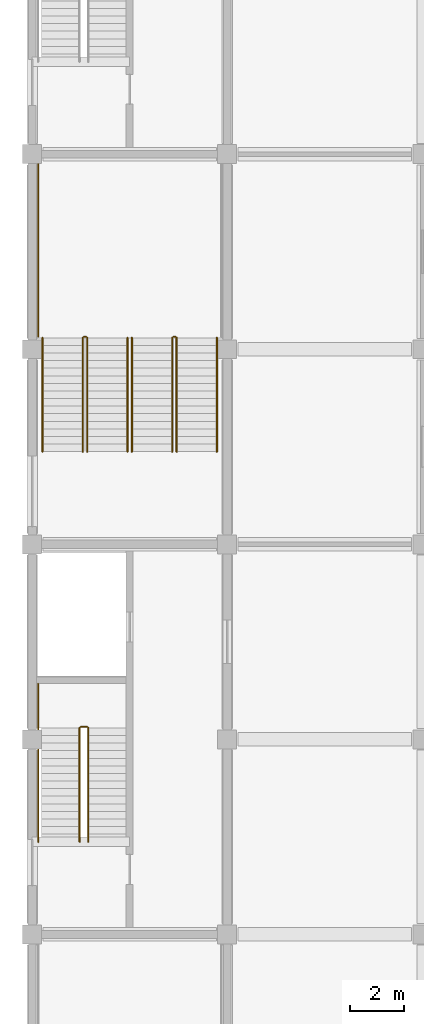
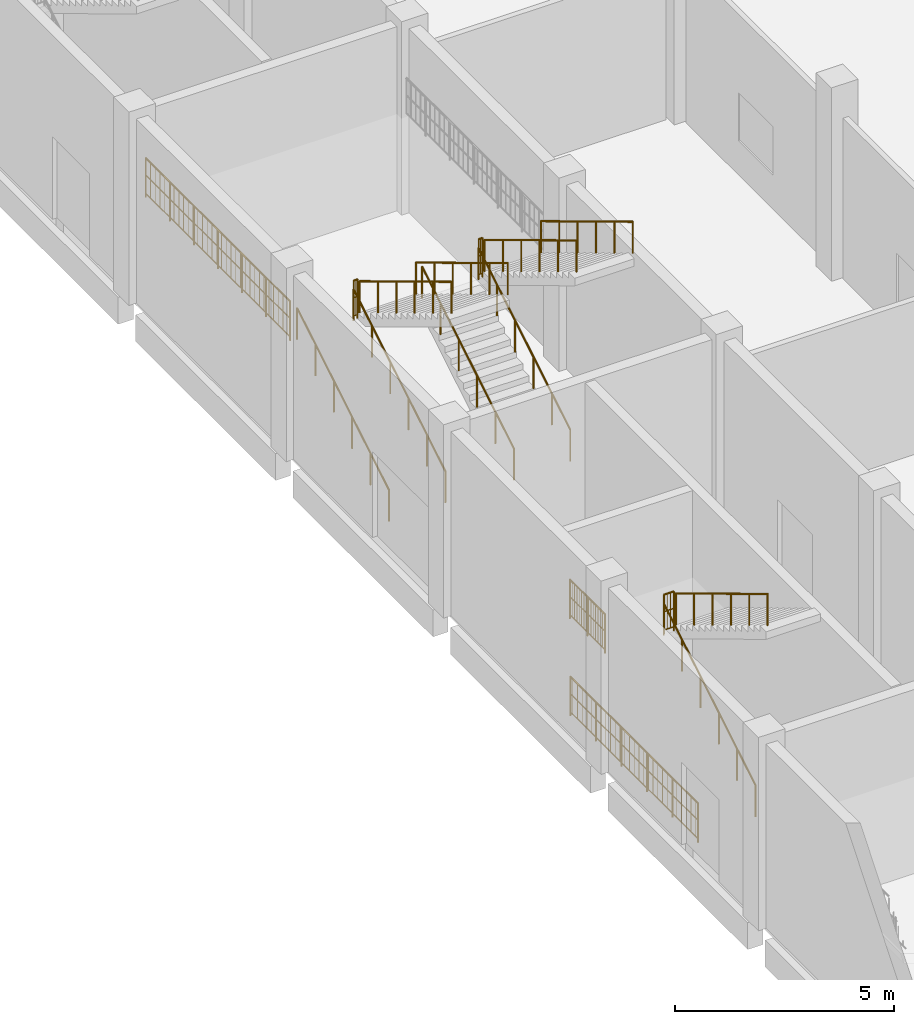
# One storey, part 59 of 70: 16 railings.
"""IFC4 building model written with IfcOpenShell, lengths in metres."""

import ifcopenshell
import ifcopenshell.guid

model = None  # the IFC model being written
_history = None  # IfcOwnerHistory: only IFC2X3 demands one
_inside = {}  # id of a spatial element -> (the spatial element, [elements in it])
_under = {}  # id of a project, library or spatial element -> (it, [spatial elements below it])
_declared = {}  # id of a project -> (the project, [libraries it declares])
_typed = {}  # id of a type object -> (the type object, [elements of that type])
_made_of = {}  # id of a material, layer set ... -> (it, [elements and type objects made of it])


def new_model(schema):
    """Start an empty IFC model of exactly this schema.

    Asked for "IFC4X3", IfcOpenShell would pick the latest addendum, in which some entities
    have other attributes; the version numbers below select the first issue.
    IFC2X3 requires an IfcOwnerHistory on every rooted entity: one is made here for all.
    """
    global model, _history
    if schema == "IFC4X3":
        model = ifcopenshell.file(schema_version=(4, 3, 0, 0))
    else:
        model = ifcopenshell.file(schema=schema)
    _inside.clear()
    _under.clear()
    _declared.clear()
    _typed.clear()
    _made_of.clear()
    _history = None
    if model.schema == "IFC2X3":
        org = make("IfcOrganization", Name="unknown")
        user = make(
            "IfcPersonAndOrganization",
            ThePerson=make("IfcPerson", FamilyName="unknown"),
            TheOrganization=org,
        )
        app = make(
            "IfcApplication",
            ApplicationDeveloper=org,
            Version="unknown",
            ApplicationFullName="unknown",
            ApplicationIdentifier="unknown",
        )
        _history = make(
            "IfcOwnerHistory",
            OwningUser=user,
            OwningApplication=app,
            ChangeAction="ADDED",
            CreationDate=0,
        )
    return model


def make(cls, **values):
    """One entity of the class cls with the attributes given. An attribute that is None is left unset."""
    return model.create_entity(
        cls, **{name: value for name, value in values.items() if value is not None}
    )


def rooted(cls, **values):
    """An entity with a GlobalId (a new one), such as an element, a storey or a relation."""
    return make(cls, GlobalId=ifcopenshell.guid.new(), OwnerHistory=_history, **values)


def si_unit(unit_type, name, prefix=None):
    """IfcSIUnit, for example si_unit("LENGTHUNIT", "METRE", prefix="MILLI")."""
    return make("IfcSIUnit", UnitType=unit_type, Prefix=prefix, Name=name)


def assignment(units):
    """IfcUnitAssignment: the units of a project."""
    return None if units is None else make("IfcUnitAssignment", Units=units)


def point(xyz):
    """IfcCartesianPoint."""
    return None if xyz is None else make("IfcCartesianPoint", Coordinates=xyz)


def direction(xyz):
    """IfcDirection."""
    return None if xyz is None else make("IfcDirection", DirectionRatios=xyz)


def frame(location, z_axis=None, x_axis=None):
    """IfcAxis2Placement3D, a coordinate frame: its origin and axes. An axis left out is left unset."""
    return make(
        "IfcAxis2Placement3D",
        Location=point(location),
        Axis=direction(z_axis),
        RefDirection=direction(x_axis),
    )


def frame_2d(location, x_axis=None):
    """IfcAxis2Placement2D, a coordinate frame in the plane: its origin and x axis."""
    return make(
        "IfcAxis2Placement2D", Location=point(location), RefDirection=direction(x_axis)
    )


def origin():
    """The frame at (0, 0, 0) with its axes left unset."""
    return frame((0.0, 0.0, 0.0))


def origin_2d():
    """The frame at (0, 0) in the plane with its x axis left unset."""
    return frame_2d((0.0, 0.0))


def place(relative_to, where):
    """IfcLocalPlacement: puts the frame where relative to a parent placement (None: the world)."""
    return make(
        "IfcLocalPlacement", PlacementRelTo=relative_to, RelativePlacement=where
    )


def context(
    kind, dimensions, precision=None, world=None, true_north=None, identifier=None
):
    """IfcGeometricRepresentationContext, for example the 3D "Model" context."""
    return make(
        "IfcGeometricRepresentationContext",
        ContextIdentifier=identifier,
        ContextType=kind,
        CoordinateSpaceDimension=dimensions,
        Precision=precision,
        WorldCoordinateSystem=world,
        TrueNorth=true_north,
    )


def subcontext(parent, identifier, kind, view, scale=None):
    """IfcGeometricRepresentationSubContext, for example "Body" below "Model"."""
    return make(
        "IfcGeometricRepresentationSubContext",
        ContextIdentifier=identifier,
        ContextType=kind,
        ParentContext=parent,
        TargetScale=scale,
        TargetView=view,
    )


def project(units=None, contexts=None):
    """IfcProject with its units and contexts."""
    return rooted(
        "IfcProject",
        Name="project",
        RepresentationContexts=contexts,
        UnitsInContext=assignment(units),
    )


def spatial(cls, under=None, at=None, **own):
    """A site, building, storey or space (cls), placed at a placement, below another one or the project."""
    s = rooted(cls, ObjectPlacement=at, **own)
    if under is not None:
        _under.setdefault(under.id(), (under, []))[1].append(s)
    return s


def profile(cls, at=None, kind="AREA", **sizes):
    """A parametric profile (cls). Its sizes go by their IFC names, for example OverallWidth=200.0."""
    return make(cls, ProfileType=kind, Position=at, **sizes)


def circle(**sizes):
    """IfcCircleProfileDef."""
    return profile("IfcCircleProfileDef", **sizes)


def extrude(swept, where, along, depth):
    """IfcExtrudedAreaSolid: the profile swept, set in the frame where, extruded along a direction by depth."""
    return make(
        "IfcExtrudedAreaSolid",
        SweptArea=swept,
        Position=where,
        ExtrudedDirection=direction(along),
        Depth=depth,
    )


def shape(context_of_items, identifier, shape_type, items):
    """IfcShapeRepresentation: the items that make up one representation, for example the "Body"."""
    return make(
        "IfcShapeRepresentation",
        ContextOfItems=context_of_items,
        RepresentationIdentifier=identifier,
        RepresentationType=shape_type,
        Items=items,
    )


def material(Name=None, Category=None):
    """IfcMaterial."""
    return make("IfcMaterial", Name=Name, Category=Category)


def made_of(thing, what):
    """Note that an element or type object is made of a material, layer set ...; save() writes the relation."""
    if what is not None:
        _made_of.setdefault(what.id(), (what, []))[1].append(thing)
    return thing


def type_object(cls, material=None, **own):
    """A type object (cls), such as IfcWallType, which elements share."""
    return made_of(rooted(cls, **own), material)


def element(
    cls,
    number,
    at=None,
    inside=None,
    cuts=None,
    type_object=None,
    material=None,
    context=None,
    identifier="Body",
    shape_type=None,
    held_by="IfcProductDefinitionShape",
    body=None,
    shapes=None,
    **own,
):
    """One element of the class cls, such as IfcWall. Its Tag is "e" and its number.

    at: its placement. inside: the storey or other place that contains it. cuts: it is an
    opening in that element (IfcRelVoidsElement). A single representation is given by context,
    identifier, shape_type and body (its items); several are given by shapes. held_by: the class
    of the entity that holds the representations. save() writes the other relations.
    """
    e = rooted(cls, Tag="e%d" % number, ObjectPlacement=at, **own)
    if body is not None:
        shapes = [shape(context, identifier, shape_type, body)]
    if shapes is not None:
        e.Representation = make(held_by, Representations=shapes)
    if inside is not None:
        _inside.setdefault(inside.id(), (inside, []))[1].append(e)
    if cuts is not None:
        rooted(
            "IfcRelVoidsElement", RelatingBuildingElement=cuts, RelatedOpeningElement=e
        )
    if type_object is not None:
        _typed.setdefault(type_object.id(), (type_object, []))[1].append(e)
    return made_of(e, material)


def aggregate(whole, parts):
    """IfcRelAggregates: a whole, such as a stair, and the parts it consists of."""
    return rooted("IfcRelAggregates", RelatingObject=whole, RelatedObjects=parts)


def save(model, path):
    """Write the relations noted so far, then the file.

    IfcRelAggregates (storeys below a building ...), IfcRelContainedInSpatialStructure (elements
    in a storey), IfcRelDefinesByType, IfcRelAssociatesMaterial and IfcRelDeclares: one each for
    every whole, place, type object, material and project.
    """
    for whole, parts in _under.values():
        aggregate(whole, parts)
    for where, things in _inside.values():
        rooted(
            "IfcRelContainedInSpatialStructure",
            RelatedElements=things,
            RelatingStructure=where,
        )
    for kind, things in _typed.values():
        rooted("IfcRelDefinesByType", RelatedObjects=things, RelatingType=kind)
    for what, things in _made_of.values():
        rooted("IfcRelAssociatesMaterial", RelatedObjects=things, RelatingMaterial=what)
    for by, libraries in _declared.values():
        rooted("IfcRelDeclares", RelatingContext=by, RelatedDefinitions=libraries)
    model.write(path)


model = new_model("IFC4")

# Units and contexts
model_context = context("Model", 3, precision=1e-05, world=origin(), true_north=direction((0.0, 1.0)))
body_context = subcontext(model_context, "Body", "Model", "MODEL_VIEW")
ifc_project = project(units=[si_unit("LENGTHUNIT", "METRE"), si_unit("AREAUNIT", "SQUARE_METRE"), si_unit("VOLUMEUNIT", "CUBIC_METRE"), si_unit("PLANEANGLEUNIT", "RADIAN"), si_unit("MASSUNIT", "GRAM", prefix="KILO")], contexts=[model_context])

# Site, building, storey
site_placement = place(None, origin())
site = spatial("IfcSite", under=ifc_project, at=site_placement, CompositionType="ELEMENT")
building_placement = place(site_placement, origin())
building = spatial("IfcBuilding", under=site, at=building_placement, Name="Vesperath Aquatics Centre", CompositionType="ELEMENT")
storey_placement = place(building_placement, origin())
storey = spatial("IfcBuildingStorey", under=building, at=storey_placement, Name="L00", CompositionType="ELEMENT", Elevation=0.0)

# Railings
ifc_material_1 = material(Name="Powder-coated galvanized steel safety guard", Category="steel")
railing_type_1 = type_object("IfcRailingType", Name="RL-GRD01", PredefinedType="GUARDRAIL", material=ifc_material_1)
railing_1_placement = place(storey_placement, frame((1.780029296875, 36.4599609375, 2.699951171875)))
element("IfcRailing", 1, at=railing_1_placement, inside=storey, type_object=railing_type_1, Name="Stair ST1 Half-Landing Slot Guard GR02 L00", PredefinedType="GUARDRAIL", context=body_context, shape_type="SweptSolid", body=[
    extrude(circle(Radius=0.02392578125, at=origin_2d()), frame((0.0, 0.0, 1.0859375), z_axis=(1.0, 0.0, 0.0), x_axis=(0.0, 1.0, 0.0)), (0.0, 0.0, 1.0), 0.260009765625),
    extrude(circle(Radius=0.01611328125, at=origin_2d()), frame((0.0, 0.0, 0.10009765625), z_axis=(1.0, 0.0, 0.0), x_axis=(0.0, 1.0, 0.0)), (0.0, 0.0, 1.0), 0.260009765625),
    extrude(circle(Radius=0.01611328125, at=origin_2d()), frame((0.0, 0.0, 0.610595703125), z_axis=(1.0, 0.0, 0.0), x_axis=(0.0, 1.0, 0.0)), (0.0, 0.0, 1.0), 0.260009765625),
    extrude(circle(Radius=0.009033203125, at=origin_2d()), frame((0.086669921875, 0.0, 0.10009765625)), (0.0, 0.0, 1.0), 0.9619140625),
    extrude(circle(Radius=0.009033203125, at=origin_2d()), frame((0.17333984375, 0.0, 0.10009765625)), (0.0, 0.0, 1.0), 0.9619140625),
    extrude(circle(Radius=0.02197265625, at=origin_2d()), origin(), (0.0, 0.0, 1.0), 1.0859375),
    extrude(circle(Radius=0.02197265625, at=origin_2d()), frame((0.260009765625, 0.0, 0.0)), (0.0, 0.0, 1.0), 1.0859375),
])
railing_2_placement = place(storey_placement, frame((0.219970703125, 36.4599609375, 2.699951171875)))
element("IfcRailing", 2, at=railing_2_placement, inside=storey, type_object=railing_type_1, Name="Stair ST1 Half-Landing Wall Guard GR02 L00", PredefinedType="GUARDRAIL", context=body_context, shape_type="SweptSolid", body=[
    extrude(circle(Radius=0.02392578125, at=origin_2d()), frame((0.0, 0.0, 1.0859375), z_axis=(0.0, 1.0, 0.0), x_axis=(-1.0, 0.0, 0.0)), (0.0, 0.0, 1.0), 1.60009765625),
    extrude(circle(Radius=0.01611328125, at=origin_2d()), frame((0.0, 0.0, 0.10009765625), z_axis=(0.0, 1.0, 0.0), x_axis=(-1.0, 0.0, 0.0)), (0.0, 0.0, 1.0), 1.60009765625),
    extrude(circle(Radius=0.01611328125, at=origin_2d()), frame((0.0, 0.0, 0.610595703125), z_axis=(0.0, 1.0, 0.0), x_axis=(-1.0, 0.0, 0.0)), (0.0, 0.0, 1.0), 1.60009765625),
    extrude(circle(Radius=0.009033203125, at=origin_2d()), frame((0.0, 0.106689453125, 0.10009765625)), (0.0, 0.0, 1.0), 0.9619140625),
    extrude(circle(Radius=0.009033203125, at=origin_2d()), frame((0.0, 0.21337890625, 0.10009765625)), (0.0, 0.0, 1.0), 0.9619140625),
    extrude(circle(Radius=0.009033203125, at=origin_2d()), frame((0.0, 0.320068359375, 0.10009765625)), (0.0, 0.0, 1.0), 0.9619140625),
    extrude(circle(Radius=0.009033203125, at=origin_2d()), frame((0.0, 0.4267578125, 0.10009765625)), (0.0, 0.0, 1.0), 0.9619140625),
    extrude(circle(Radius=0.009033203125, at=origin_2d()), frame((0.0, 0.533447265625, 0.10009765625)), (0.0, 0.0, 1.0), 0.9619140625),
    extrude(circle(Radius=0.009033203125, at=origin_2d()), frame((0.0, 0.64013671875, 0.10009765625)), (0.0, 0.0, 1.0), 0.9619140625),
    extrude(circle(Radius=0.009033203125, at=origin_2d()), frame((0.0, 0.746826171875, 0.10009765625)), (0.0, 0.0, 1.0), 0.9619140625),
    extrude(circle(Radius=0.009033203125, at=origin_2d()), frame((0.0, 0.853271484375, 0.10009765625)), (0.0, 0.0, 1.0), 0.9619140625),
    extrude(circle(Radius=0.009033203125, at=origin_2d()), frame((0.0, 0.9599609375, 0.10009765625)), (0.0, 0.0, 1.0), 0.9619140625),
    extrude(circle(Radius=0.009033203125, at=origin_2d()), frame((0.0, 1.066650390625, 0.10009765625)), (0.0, 0.0, 1.0), 0.9619140625),
    extrude(circle(Radius=0.009033203125, at=origin_2d()), frame((0.0, 1.17333984375, 0.10009765625)), (0.0, 0.0, 1.0), 0.9619140625),
    extrude(circle(Radius=0.009033203125, at=origin_2d()), frame((0.0, 1.280029296875, 0.10009765625)), (0.0, 0.0, 1.0), 0.9619140625),
    extrude(circle(Radius=0.009033203125, at=origin_2d()), frame((0.0, 1.38671875, 0.10009765625)), (0.0, 0.0, 1.0), 0.9619140625),
    extrude(circle(Radius=0.009033203125, at=origin_2d()), frame((0.0, 1.493408203125, 0.10009765625)), (0.0, 0.0, 1.0), 0.9619140625),
    extrude(circle(Radius=0.02197265625, at=origin_2d()), origin(), (0.0, 0.0, 1.0), 1.0859375),
    extrude(circle(Radius=0.02197265625, at=origin_2d()), frame((0.0, 0.800048828125, 0.0)), (0.0, 0.0, 1.0), 1.0859375),
    extrude(circle(Radius=0.02197265625, at=origin_2d()), frame((0.0, 1.60009765625, 0.0)), (0.0, 0.0, 1.0), 1.0859375),
])
railing_3_placement = place(storey_placement, frame((0.219970703125, 32.199951171875, 0.0)))
element("IfcRailing", 3, at=railing_3_placement, inside=storey, type_object=railing_type_1, Name="Stair ST1 Shaft Side Guard GR02 L00", PredefinedType="GUARDRAIL", context=body_context, shape_type="SweptSolid", body=[
    extrude(circle(Radius=0.02392578125, at=origin_2d()), frame((0.0, 0.0, 1.0859375), z_axis=(0.0, 1.0, 0.0), x_axis=(-1.0, 0.0, 0.0)), (0.0, 0.0, 1.0), 5.840087890625),
    extrude(circle(Radius=0.01611328125, at=origin_2d()), frame((0.0, 0.0, 0.10009765625), z_axis=(0.0, 1.0, 0.0), x_axis=(-1.0, 0.0, 0.0)), (0.0, 0.0, 1.0), 5.840087890625),
    extrude(circle(Radius=0.01611328125, at=origin_2d()), frame((0.0, 0.0, 0.610595703125), z_axis=(0.0, 1.0, 0.0), x_axis=(-1.0, 0.0, 0.0)), (0.0, 0.0, 1.0), 5.840087890625),
    extrude(circle(Radius=0.009033203125, at=origin_2d()), frame((0.0, 0.108154296875, 0.10009765625)), (0.0, 0.0, 1.0), 0.9619140625),
    extrude(circle(Radius=0.009033203125, at=origin_2d()), frame((0.0, 0.324462890625, 0.10009765625)), (0.0, 0.0, 1.0), 0.9619140625),
    extrude(circle(Radius=0.009033203125, at=origin_2d()), frame((0.0, 0.540771484375, 0.10009765625)), (0.0, 0.0, 1.0), 0.9619140625),
    extrude(circle(Radius=0.009033203125, at=origin_2d()), frame((0.0, 0.757080078125, 0.10009765625)), (0.0, 0.0, 1.0), 0.9619140625),
    extrude(circle(Radius=0.009033203125, at=origin_2d()), frame((0.0, 0.973388671875, 0.10009765625)), (0.0, 0.0, 1.0), 0.9619140625),
    extrude(circle(Radius=0.009033203125, at=origin_2d()), frame((0.0, 1.189697265625, 0.10009765625)), (0.0, 0.0, 1.0), 0.9619140625),
    extrude(circle(Radius=0.009033203125, at=origin_2d()), frame((0.0, 1.406005859375, 0.10009765625)), (0.0, 0.0, 1.0), 0.9619140625),
    extrude(circle(Radius=0.009033203125, at=origin_2d()), frame((0.0, 1.622314453125, 0.10009765625)), (0.0, 0.0, 1.0), 0.9619140625),
    extrude(circle(Radius=0.009033203125, at=origin_2d()), frame((0.0, 1.838623046875, 0.10009765625)), (0.0, 0.0, 1.0), 0.9619140625),
    extrude(circle(Radius=0.009033203125, at=origin_2d()), frame((0.0, 2.054931640625, 0.10009765625)), (0.0, 0.0, 1.0), 0.9619140625),
    extrude(circle(Radius=0.009033203125, at=origin_2d()), frame((0.0, 2.271240234375, 0.10009765625)), (0.0, 0.0, 1.0), 0.9619140625),
    extrude(circle(Radius=0.009033203125, at=origin_2d()), frame((0.0, 2.487548828125, 0.10009765625)), (0.0, 0.0, 1.0), 0.9619140625),
    extrude(circle(Radius=0.009033203125, at=origin_2d()), frame((0.0, 2.703857421875, 0.10009765625)), (0.0, 0.0, 1.0), 0.9619140625),
    extrude(circle(Radius=0.009033203125, at=origin_2d()), frame((0.0, 2.919921875, 0.10009765625)), (0.0, 0.0, 1.0), 0.9619140625),
    extrude(circle(Radius=0.009033203125, at=origin_2d()), frame((0.0, 3.13623046875, 0.10009765625)), (0.0, 0.0, 1.0), 0.9619140625),
    extrude(circle(Radius=0.009033203125, at=origin_2d()), frame((0.0, 3.3525390625, 0.10009765625)), (0.0, 0.0, 1.0), 0.9619140625),
    extrude(circle(Radius=0.009033203125, at=origin_2d()), frame((0.0, 3.56884765625, 0.10009765625)), (0.0, 0.0, 1.0), 0.9619140625),
    extrude(circle(Radius=0.009033203125, at=origin_2d()), frame((0.0, 3.78515625, 0.10009765625)), (0.0, 0.0, 1.0), 0.9619140625),
    extrude(circle(Radius=0.009033203125, at=origin_2d()), frame((0.0, 4.00146484375, 0.10009765625)), (0.0, 0.0, 1.0), 0.9619140625),
    extrude(circle(Radius=0.009033203125, at=origin_2d()), frame((0.0, 4.2177734375, 0.10009765625)), (0.0, 0.0, 1.0), 0.9619140625),
    extrude(circle(Radius=0.009033203125, at=origin_2d()), frame((0.0, 4.43408203125, 0.10009765625)), (0.0, 0.0, 1.0), 0.9619140625),
    extrude(circle(Radius=0.009033203125, at=origin_2d()), frame((0.0, 4.650390625, 0.10009765625)), (0.0, 0.0, 1.0), 0.9619140625),
    extrude(circle(Radius=0.009033203125, at=origin_2d()), frame((0.0, 4.86669921875, 0.10009765625)), (0.0, 0.0, 1.0), 0.9619140625),
    extrude(circle(Radius=0.009033203125, at=origin_2d()), frame((0.0, 5.0830078125, 0.10009765625)), (0.0, 0.0, 1.0), 0.9619140625),
    extrude(circle(Radius=0.009033203125, at=origin_2d()), frame((0.0, 5.29931640625, 0.10009765625)), (0.0, 0.0, 1.0), 0.9619140625),
    extrude(circle(Radius=0.009033203125, at=origin_2d()), frame((0.0, 5.515625, 0.10009765625)), (0.0, 0.0, 1.0), 0.9619140625),
    extrude(circle(Radius=0.009033203125, at=origin_2d()), frame((0.0, 5.73193359375, 0.10009765625)), (0.0, 0.0, 1.0), 0.9619140625),
    extrude(circle(Radius=0.02197265625, at=origin_2d()), origin(), (0.0, 0.0, 1.0), 1.0859375),
    extrude(circle(Radius=0.02197265625, at=origin_2d()), frame((0.0, 1.16796875, 0.0)), (0.0, 0.0, 1.0), 1.0859375),
    extrude(circle(Radius=0.02197265625, at=origin_2d()), frame((0.0, 2.3359375, 0.0)), (0.0, 0.0, 1.0), 1.0859375),
    extrude(circle(Radius=0.02197265625, at=origin_2d()), frame((0.0, 3.504150390625, 0.0)), (0.0, 0.0, 1.0), 1.0859375),
    extrude(circle(Radius=0.02197265625, at=origin_2d()), frame((0.0, 4.672119140625, 0.0)), (0.0, 0.0, 1.0), 1.0859375),
    extrude(circle(Radius=0.02197265625, at=origin_2d()), frame((0.0, 5.840087890625, 0.0)), (0.0, 0.0, 1.0), 1.0859375),
])
railing_4_placement = place(storey_placement, frame((1.89990234375, 50.860107421875, 2.699951171875)))
element("IfcRailing", 4, at=railing_4_placement, inside=storey, type_object=railing_type_1, Name="Stair ST11A Half-Landing Slot Guard GR02 L00", PredefinedType="GUARDRAIL", context=body_context, shape_type="SweptSolid", body=[
    extrude(circle(Radius=0.02392578125, at=origin_2d()), frame((0.0, 0.0, 1.0859375), z_axis=(1.0, 0.0, 0.0), x_axis=(0.0, 1.0, 0.0)), (0.0, 0.0, 1.0), 0.10009765625),
    extrude(circle(Radius=0.01611328125, at=origin_2d()), frame((0.0, 0.0, 0.10009765625), z_axis=(1.0, 0.0, 0.0), x_axis=(0.0, 1.0, 0.0)), (0.0, 0.0, 1.0), 0.10009765625),
    extrude(circle(Radius=0.01611328125, at=origin_2d()), frame((0.0, 0.0, 0.610595703125), z_axis=(1.0, 0.0, 0.0), x_axis=(0.0, 1.0, 0.0)), (0.0, 0.0, 1.0), 0.10009765625),
    extrude(circle(Radius=0.009033203125, at=origin_2d()), frame((0.050048828125, 0.0, 0.10009765625)), (0.0, 0.0, 1.0), 0.9619140625),
    extrude(circle(Radius=0.02197265625, at=origin_2d()), origin(), (0.0, 0.0, 1.0), 1.0859375),
    extrude(circle(Radius=0.02197265625, at=origin_2d()), frame((0.10009765625, 0.0, 0.0)), (0.0, 0.0, 1.0), 1.0859375),
])
railing_5_placement = place(storey_placement, frame((0.219970703125, 50.860107421875, 2.699951171875)))
element("IfcRailing", 5, at=railing_5_placement, inside=storey, type_object=railing_type_1, Name="Stair ST11A Half-Landing Wall Guard GR02 L00", PredefinedType="GUARDRAIL", context=body_context, shape_type="SweptSolid", body=[
    extrude(circle(Radius=0.02392578125, at=origin_2d()), frame((0.0, 0.0, 1.0859375), z_axis=(0.0, 1.0, 0.0), x_axis=(-1.0, 0.0, 0.0)), (0.0, 0.0, 1.0), 6.60986328125),
    extrude(circle(Radius=0.01611328125, at=origin_2d()), frame((0.0, 0.0, 0.10009765625), z_axis=(0.0, 1.0, 0.0), x_axis=(-1.0, 0.0, 0.0)), (0.0, 0.0, 1.0), 6.60986328125),
    extrude(circle(Radius=0.01611328125, at=origin_2d()), frame((0.0, 0.0, 0.610595703125), z_axis=(0.0, 1.0, 0.0), x_axis=(-1.0, 0.0, 0.0)), (0.0, 0.0, 1.0), 6.60986328125),
    extrude(circle(Radius=0.009033203125, at=origin_2d()), frame((0.0, 0.1083984375, 0.10009765625)), (0.0, 0.0, 1.0), 0.9619140625),
    extrude(circle(Radius=0.009033203125, at=origin_2d()), frame((0.0, 0.3251953125, 0.10009765625)), (0.0, 0.0, 1.0), 0.9619140625),
    extrude(circle(Radius=0.009033203125, at=origin_2d()), frame((0.0, 0.541748046875, 0.10009765625)), (0.0, 0.0, 1.0), 0.9619140625),
    extrude(circle(Radius=0.009033203125, at=origin_2d()), frame((0.0, 0.758544921875, 0.10009765625)), (0.0, 0.0, 1.0), 0.9619140625),
    extrude(circle(Radius=0.009033203125, at=origin_2d()), frame((0.0, 0.975341796875, 0.10009765625)), (0.0, 0.0, 1.0), 0.9619140625),
    extrude(circle(Radius=0.009033203125, at=origin_2d()), frame((0.0, 1.19189453125, 0.10009765625)), (0.0, 0.0, 1.0), 0.9619140625),
    extrude(circle(Radius=0.009033203125, at=origin_2d()), frame((0.0, 1.40869140625, 0.10009765625)), (0.0, 0.0, 1.0), 0.9619140625),
    extrude(circle(Radius=0.009033203125, at=origin_2d()), frame((0.0, 1.62548828125, 0.10009765625)), (0.0, 0.0, 1.0), 0.9619140625),
    extrude(circle(Radius=0.009033203125, at=origin_2d()), frame((0.0, 1.842041015625, 0.10009765625)), (0.0, 0.0, 1.0), 0.9619140625),
    extrude(circle(Radius=0.009033203125, at=origin_2d()), frame((0.0, 2.058837890625, 0.10009765625)), (0.0, 0.0, 1.0), 0.9619140625),
    extrude(circle(Radius=0.009033203125, at=origin_2d()), frame((0.0, 2.275634765625, 0.10009765625)), (0.0, 0.0, 1.0), 0.9619140625),
    extrude(circle(Radius=0.009033203125, at=origin_2d()), frame((0.0, 2.4921875, 0.10009765625)), (0.0, 0.0, 1.0), 0.9619140625),
    extrude(circle(Radius=0.009033203125, at=origin_2d()), frame((0.0, 2.708984375, 0.10009765625)), (0.0, 0.0, 1.0), 0.9619140625),
    extrude(circle(Radius=0.009033203125, at=origin_2d()), frame((0.0, 2.92578125, 0.10009765625)), (0.0, 0.0, 1.0), 0.9619140625),
    extrude(circle(Radius=0.009033203125, at=origin_2d()), frame((0.0, 3.142333984375, 0.10009765625)), (0.0, 0.0, 1.0), 0.9619140625),
    extrude(circle(Radius=0.009033203125, at=origin_2d()), frame((0.0, 3.359130859375, 0.10009765625)), (0.0, 0.0, 1.0), 0.9619140625),
    extrude(circle(Radius=0.009033203125, at=origin_2d()), frame((0.0, 3.575927734375, 0.10009765625)), (0.0, 0.0, 1.0), 0.9619140625),
    extrude(circle(Radius=0.009033203125, at=origin_2d()), frame((0.0, 3.79248046875, 0.10009765625)), (0.0, 0.0, 1.0), 0.9619140625),
    extrude(circle(Radius=0.009033203125, at=origin_2d()), frame((0.0, 4.00927734375, 0.10009765625)), (0.0, 0.0, 1.0), 0.9619140625),
    extrude(circle(Radius=0.009033203125, at=origin_2d()), frame((0.0, 4.22607421875, 0.10009765625)), (0.0, 0.0, 1.0), 0.9619140625),
    extrude(circle(Radius=0.009033203125, at=origin_2d()), frame((0.0, 4.442626953125, 0.10009765625)), (0.0, 0.0, 1.0), 0.9619140625),
    extrude(circle(Radius=0.009033203125, at=origin_2d()), frame((0.0, 4.659423828125, 0.10009765625)), (0.0, 0.0, 1.0), 0.9619140625),
    extrude(circle(Radius=0.009033203125, at=origin_2d()), frame((0.0, 4.876220703125, 0.10009765625)), (0.0, 0.0, 1.0), 0.9619140625),
    extrude(circle(Radius=0.009033203125, at=origin_2d()), frame((0.0, 5.0927734375, 0.10009765625)), (0.0, 0.0, 1.0), 0.9619140625),
    extrude(circle(Radius=0.009033203125, at=origin_2d()), frame((0.0, 5.3095703125, 0.10009765625)), (0.0, 0.0, 1.0), 0.9619140625),
    extrude(circle(Radius=0.009033203125, at=origin_2d()), frame((0.0, 5.5263671875, 0.10009765625)), (0.0, 0.0, 1.0), 0.9619140625),
    extrude(circle(Radius=0.009033203125, at=origin_2d()), frame((0.0, 5.742919921875, 0.10009765625)), (0.0, 0.0, 1.0), 0.9619140625),
    extrude(circle(Radius=0.009033203125, at=origin_2d()), frame((0.0, 5.959716796875, 0.10009765625)), (0.0, 0.0, 1.0), 0.9619140625),
    extrude(circle(Radius=0.009033203125, at=origin_2d()), frame((0.0, 6.176513671875, 0.10009765625)), (0.0, 0.0, 1.0), 0.9619140625),
    extrude(circle(Radius=0.009033203125, at=origin_2d()), frame((0.0, 6.39306640625, 0.10009765625)), (0.0, 0.0, 1.0), 0.9619140625),
    extrude(circle(Radius=0.02197265625, at=origin_2d()), origin(), (0.0, 0.0, 1.0), 1.0859375),
    extrude(circle(Radius=0.02197265625, at=origin_2d()), frame((0.0, 1.1015625, 0.0)), (0.0, 0.0, 1.0), 1.0859375),
    extrude(circle(Radius=0.02197265625, at=origin_2d()), frame((0.0, 2.203369140625, 0.0)), (0.0, 0.0, 1.0), 1.0859375),
    extrude(circle(Radius=0.02197265625, at=origin_2d()), frame((0.0, 3.304931640625, 0.0)), (0.0, 0.0, 1.0), 1.0859375),
    extrude(circle(Radius=0.02197265625, at=origin_2d()), frame((0.0, 4.406494140625, 0.0)), (0.0, 0.0, 1.0), 1.0859375),
    extrude(circle(Radius=0.02197265625, at=origin_2d()), frame((0.0, 5.50830078125, 0.0)), (0.0, 0.0, 1.0), 1.0859375),
    extrude(circle(Radius=0.02197265625, at=origin_2d()), frame((0.0, 6.60986328125, 0.0)), (0.0, 0.0, 1.0), 1.0859375),
])
railing_6_placement = place(storey_placement, frame((5.199951171875, 50.860107421875, 2.699951171875)))
element("IfcRailing", 6, at=railing_6_placement, inside=storey, type_object=railing_type_1, Name="Stair ST11B Half-Landing Slot Guard GR02 L00", PredefinedType="GUARDRAIL", context=body_context, shape_type="SweptSolid", body=[
    extrude(circle(Radius=0.02392578125, at=origin_2d()), frame((0.0, 0.0, 1.0859375), z_axis=(1.0, 0.0, 0.0), x_axis=(0.0, 1.0, 0.0)), (0.0, 0.0, 1.0), 0.10009765625),
    extrude(circle(Radius=0.01611328125, at=origin_2d()), frame((0.0, 0.0, 0.10009765625), z_axis=(1.0, 0.0, 0.0), x_axis=(0.0, 1.0, 0.0)), (0.0, 0.0, 1.0), 0.10009765625),
    extrude(circle(Radius=0.01611328125, at=origin_2d()), frame((0.0, 0.0, 0.610595703125), z_axis=(1.0, 0.0, 0.0), x_axis=(0.0, 1.0, 0.0)), (0.0, 0.0, 1.0), 0.10009765625),
    extrude(circle(Radius=0.009033203125, at=origin_2d()), frame((0.050048828125, 0.0, 0.10009765625)), (0.0, 0.0, 1.0), 0.9619140625),
    extrude(circle(Radius=0.02197265625, at=origin_2d()), origin(), (0.0, 0.0, 1.0), 1.0859375),
    extrude(circle(Radius=0.02197265625, at=origin_2d()), frame((0.10009765625, 0.0, 0.0)), (0.0, 0.0, 1.0), 1.0859375),
])
ifc_material_2 = material(Name="Brushed stainless steel tubular handrail", Category="steel")
railing_type_2 = type_object("IfcRailingType", Name="RL-HND01", PredefinedType="HANDRAIL", material=ifc_material_2)
railing_7_placement = place(storey_placement, frame((1.75, 32.219970703125, 0.168701171875)))
element("IfcRailing", 7, at=railing_7_placement, inside=storey, type_object=railing_type_2, Name="Stair ST1 Flight 1 Handrail HR01 L00", PredefinedType="HANDRAIL", context=body_context, shape_type="SweptSolid", body=[
    extrude(circle(Radius=0.02392578125, at=origin_2d()), frame((0.0, 0.0, 0.8759765625), z_axis=(0.0, 0.856476492594, 0.516186030065), x_axis=(-1.0, 0.0, 0.0)), (0.0, 0.0, 1.0), 4.90380859375),
    extrude(circle(Radius=0.02197265625, at=origin_2d()), origin(), (0.0, 0.0, 1.0), 0.8759765625),
    extrude(circle(Radius=0.02197265625, at=origin_2d()), frame((0.0, 0.840087890625, 0.50634765625)), (0.0, 0.0, 1.0), 0.8759765625),
    extrude(circle(Radius=0.02197265625, at=origin_2d()), frame((0.0, 1.679931640625, 1.012451171875)), (0.0, 0.0, 1.0), 0.8759765625),
    extrude(circle(Radius=0.02197265625, at=origin_2d()), frame((0.0, 2.52001953125, 1.518798828125)), (0.0, 0.0, 1.0), 0.8759765625),
    extrude(circle(Radius=0.02197265625, at=origin_2d()), frame((0.0, 3.35986328125, 2.02490234375)), (0.0, 0.0, 1.0), 0.8759765625),
    extrude(circle(Radius=0.02197265625, at=origin_2d()), frame((0.0, 4.199951171875, 2.53125)), (0.0, 0.0, 1.0), 0.8759765625),
])
railing_8_placement = place(storey_placement, frame((2.070068359375, 36.419921875, 2.86865234375)))
element("IfcRailing", 8, at=railing_8_placement, inside=storey, type_object=railing_type_2, Name="Stair ST1 Flight 2 Handrail HR01 L00", PredefinedType="HANDRAIL", context=body_context, shape_type="SweptSolid", body=[
    extrude(circle(Radius=0.02392578125, at=origin_2d()), frame((0.0, 0.0, 0.8759765625), z_axis=(0.0, -0.856476492594, 0.516186030065), x_axis=(1.0, 0.0, 0.0)), (0.0, 0.0, 1.0), 4.90380859375),
    extrude(circle(Radius=0.02197265625, at=origin_2d()), origin(), (0.0, 0.0, 1.0), 0.8759765625),
    extrude(circle(Radius=0.02197265625, at=origin_2d()), frame((0.0, -0.840087890625, 0.50634765625)), (0.0, 0.0, 1.0), 0.8759765625),
    extrude(circle(Radius=0.02197265625, at=origin_2d()), frame((0.0, -1.679931640625, 1.012451171875)), (0.0, 0.0, 1.0), 0.8759765625),
    extrude(circle(Radius=0.02197265625, at=origin_2d()), frame((0.0, -2.52001953125, 1.518798828125)), (0.0, 0.0, 1.0), 0.8759765625),
    extrude(circle(Radius=0.02197265625, at=origin_2d()), frame((0.0, -3.35986328125, 2.02490234375)), (0.0, 0.0, 1.0), 0.8759765625),
    extrude(circle(Radius=0.02197265625, at=origin_2d()), frame((0.0, -4.199951171875, 2.53125)), (0.0, 0.0, 1.0), 0.8759765625),
])
railing_9_placement = place(storey_placement, frame((1.8701171875, 46.6201171875, 0.168701171875)))
element("IfcRailing", 9, at=railing_9_placement, inside=storey, type_object=railing_type_2, Name="Stair ST11A Flight 1 Handrail HR01 L00", PredefinedType="HANDRAIL", context=body_context, shape_type="SweptSolid", body=[
    extrude(circle(Radius=0.02392578125, at=origin_2d()), frame((0.0, 0.0, 0.8759765625), z_axis=(0.0, 0.856476492594, 0.516186030065), x_axis=(-1.0, 0.0, 0.0)), (0.0, 0.0, 1.0), 4.90380859375),
    extrude(circle(Radius=0.02197265625, at=origin_2d()), origin(), (0.0, 0.0, 1.0), 0.8759765625),
    extrude(circle(Radius=0.02197265625, at=origin_2d()), frame((0.0, 0.840087890625, 0.50634765625)), (0.0, 0.0, 1.0), 0.8759765625),
    extrude(circle(Radius=0.02197265625, at=origin_2d()), frame((0.0, 1.679931640625, 1.012451171875)), (0.0, 0.0, 1.0), 0.8759765625),
    extrude(circle(Radius=0.02197265625, at=origin_2d()), frame((0.0, 2.52001953125, 1.518798828125)), (0.0, 0.0, 1.0), 0.8759765625),
    extrude(circle(Radius=0.02197265625, at=origin_2d()), frame((0.0, 3.35986328125, 2.02490234375)), (0.0, 0.0, 1.0), 0.8759765625),
    extrude(circle(Radius=0.02197265625, at=origin_2d()), frame((0.0, 4.199951171875, 2.53125)), (0.0, 0.0, 1.0), 0.8759765625),
])
railing_10_placement = place(storey_placement, frame((2.030029296875, 50.820068359375, 2.86865234375)))
element("IfcRailing", 10, at=railing_10_placement, inside=storey, type_object=railing_type_2, Name="Stair ST11A Flight 2 Handrail HR01 L00", PredefinedType="HANDRAIL", context=body_context, shape_type="SweptSolid", body=[
    extrude(circle(Radius=0.02392578125, at=origin_2d()), frame((0.0, 0.0, 0.8759765625), z_axis=(0.0, -0.856476492594, 0.516186030065), x_axis=(1.0, 0.0, 0.0)), (0.0, 0.0, 1.0), 4.90380859375),
    extrude(circle(Radius=0.02197265625, at=origin_2d()), origin(), (0.0, 0.0, 1.0), 0.8759765625),
    extrude(circle(Radius=0.02197265625, at=origin_2d()), frame((0.0, -0.840087890625, 0.50634765625)), (0.0, 0.0, 1.0), 0.8759765625),
    extrude(circle(Radius=0.02197265625, at=origin_2d()), frame((0.0, -1.679931640625, 1.012451171875)), (0.0, 0.0, 1.0), 0.8759765625),
    extrude(circle(Radius=0.02197265625, at=origin_2d()), frame((0.0, -2.52001953125, 1.518798828125)), (0.0, 0.0, 1.0), 0.8759765625),
    extrude(circle(Radius=0.02197265625, at=origin_2d()), frame((0.0, -3.35986328125, 2.02490234375)), (0.0, 0.0, 1.0), 0.8759765625),
    extrude(circle(Radius=0.02197265625, at=origin_2d()), frame((0.0, -4.199951171875, 2.53125)), (0.0, 0.0, 1.0), 0.8759765625),
])
railing_11_placement = place(storey_placement, frame((0.3798828125, 46.6201171875, 0.168701171875)))
element("IfcRailing", 11, at=railing_11_placement, inside=storey, type_object=railing_type_2, Name="Stair ST11A Flight 1 Handrail HR01 L00", PredefinedType="HANDRAIL", context=body_context, shape_type="SweptSolid", body=[
    extrude(circle(Radius=0.02392578125, at=origin_2d()), frame((0.0, 0.0, 0.8759765625), z_axis=(0.0, 0.856476492594, 0.516186030065), x_axis=(-1.0, 0.0, 0.0)), (0.0, 0.0, 1.0), 4.90380859375),
    extrude(circle(Radius=0.02197265625, at=origin_2d()), origin(), (0.0, 0.0, 1.0), 0.8759765625),
    extrude(circle(Radius=0.02197265625, at=origin_2d()), frame((0.0, 0.840087890625, 0.50634765625)), (0.0, 0.0, 1.0), 0.8759765625),
    extrude(circle(Radius=0.02197265625, at=origin_2d()), frame((0.0, 1.679931640625, 1.012451171875)), (0.0, 0.0, 1.0), 0.8759765625),
    extrude(circle(Radius=0.02197265625, at=origin_2d()), frame((0.0, 2.52001953125, 1.518798828125)), (0.0, 0.0, 1.0), 0.8759765625),
    extrude(circle(Radius=0.02197265625, at=origin_2d()), frame((0.0, 3.35986328125, 2.02490234375)), (0.0, 0.0, 1.0), 0.8759765625),
    extrude(circle(Radius=0.02197265625, at=origin_2d()), frame((0.0, 4.199951171875, 2.53125)), (0.0, 0.0, 1.0), 0.8759765625),
])
railing_12_placement = place(storey_placement, frame((3.52001953125, 50.820068359375, 2.86865234375)))
element("IfcRailing", 12, at=railing_12_placement, inside=storey, type_object=railing_type_2, Name="Stair ST11A Flight 2 Handrail HR01 L00", PredefinedType="HANDRAIL", context=body_context, shape_type="SweptSolid", body=[
    extrude(circle(Radius=0.02392578125, at=origin_2d()), frame((0.0, 0.0, 0.8759765625), z_axis=(0.0, -0.856476492594, 0.516186030065), x_axis=(1.0, 0.0, 0.0)), (0.0, 0.0, 1.0), 4.90380859375),
    extrude(circle(Radius=0.02197265625, at=origin_2d()), origin(), (0.0, 0.0, 1.0), 0.8759765625),
    extrude(circle(Radius=0.02197265625, at=origin_2d()), frame((0.0, -0.840087890625, 0.50634765625)), (0.0, 0.0, 1.0), 0.8759765625),
    extrude(circle(Radius=0.02197265625, at=origin_2d()), frame((0.0, -1.679931640625, 1.012451171875)), (0.0, 0.0, 1.0), 0.8759765625),
    extrude(circle(Radius=0.02197265625, at=origin_2d()), frame((0.0, -2.52001953125, 1.518798828125)), (0.0, 0.0, 1.0), 0.8759765625),
    extrude(circle(Radius=0.02197265625, at=origin_2d()), frame((0.0, -3.35986328125, 2.02490234375)), (0.0, 0.0, 1.0), 0.8759765625),
    extrude(circle(Radius=0.02197265625, at=origin_2d()), frame((0.0, -4.199951171875, 2.53125)), (0.0, 0.0, 1.0), 0.8759765625),
])
railing_13_placement = place(storey_placement, frame((5.169921875, 46.6201171875, 0.168701171875)))
element("IfcRailing", 13, at=railing_13_placement, inside=storey, type_object=railing_type_2, Name="Stair ST11B Flight 1 Handrail HR01 L00", PredefinedType="HANDRAIL", context=body_context, shape_type="SweptSolid", body=[
    extrude(circle(Radius=0.02392578125, at=origin_2d()), frame((0.0, 0.0, 0.8759765625), z_axis=(0.0, 0.856476492594, 0.516186030065), x_axis=(-1.0, 0.0, 0.0)), (0.0, 0.0, 1.0), 4.90380859375),
    extrude(circle(Radius=0.02197265625, at=origin_2d()), origin(), (0.0, 0.0, 1.0), 0.8759765625),
    extrude(circle(Radius=0.02197265625, at=origin_2d()), frame((0.0, 0.840087890625, 0.50634765625)), (0.0, 0.0, 1.0), 0.8759765625),
    extrude(circle(Radius=0.02197265625, at=origin_2d()), frame((0.0, 1.679931640625, 1.012451171875)), (0.0, 0.0, 1.0), 0.8759765625),
    extrude(circle(Radius=0.02197265625, at=origin_2d()), frame((0.0, 2.52001953125, 1.518798828125)), (0.0, 0.0, 1.0), 0.8759765625),
    extrude(circle(Radius=0.02197265625, at=origin_2d()), frame((0.0, 3.35986328125, 2.02490234375)), (0.0, 0.0, 1.0), 0.8759765625),
    extrude(circle(Radius=0.02197265625, at=origin_2d()), frame((0.0, 4.199951171875, 2.53125)), (0.0, 0.0, 1.0), 0.8759765625),
])
railing_14_placement = place(storey_placement, frame((5.330078125, 50.820068359375, 2.86865234375)))
element("IfcRailing", 14, at=railing_14_placement, inside=storey, type_object=railing_type_2, Name="Stair ST11B Flight 2 Handrail HR01 L00", PredefinedType="HANDRAIL", context=body_context, shape_type="SweptSolid", body=[
    extrude(circle(Radius=0.02392578125, at=origin_2d()), frame((0.0, 0.0, 0.8759765625), z_axis=(0.0, -0.856476492594, 0.516186030065), x_axis=(1.0, 0.0, 0.0)), (0.0, 0.0, 1.0), 4.90380859375),
    extrude(circle(Radius=0.02197265625, at=origin_2d()), origin(), (0.0, 0.0, 1.0), 0.8759765625),
    extrude(circle(Radius=0.02197265625, at=origin_2d()), frame((0.0, -0.840087890625, 0.50634765625)), (0.0, 0.0, 1.0), 0.8759765625),
    extrude(circle(Radius=0.02197265625, at=origin_2d()), frame((0.0, -1.679931640625, 1.012451171875)), (0.0, 0.0, 1.0), 0.8759765625),
    extrude(circle(Radius=0.02197265625, at=origin_2d()), frame((0.0, -2.52001953125, 1.518798828125)), (0.0, 0.0, 1.0), 0.8759765625),
    extrude(circle(Radius=0.02197265625, at=origin_2d()), frame((0.0, -3.35986328125, 2.02490234375)), (0.0, 0.0, 1.0), 0.8759765625),
    extrude(circle(Radius=0.02197265625, at=origin_2d()), frame((0.0, -4.199951171875, 2.53125)), (0.0, 0.0, 1.0), 0.8759765625),
])
railing_15_placement = place(storey_placement, frame((3.679931640625, 46.6201171875, 0.168701171875)))
element("IfcRailing", 15, at=railing_15_placement, inside=storey, type_object=railing_type_2, Name="Stair ST11B Flight 1 Handrail HR01 L00", PredefinedType="HANDRAIL", context=body_context, shape_type="SweptSolid", body=[
    extrude(circle(Radius=0.02392578125, at=origin_2d()), frame((0.0, 0.0, 0.8759765625), z_axis=(0.0, 0.856476492594, 0.516186030065), x_axis=(-1.0, 0.0, 0.0)), (0.0, 0.0, 1.0), 4.90380859375),
    extrude(circle(Radius=0.02197265625, at=origin_2d()), origin(), (0.0, 0.0, 1.0), 0.8759765625),
    extrude(circle(Radius=0.02197265625, at=origin_2d()), frame((0.0, 0.840087890625, 0.50634765625)), (0.0, 0.0, 1.0), 0.8759765625),
    extrude(circle(Radius=0.02197265625, at=origin_2d()), frame((0.0, 1.679931640625, 1.012451171875)), (0.0, 0.0, 1.0), 0.8759765625),
    extrude(circle(Radius=0.02197265625, at=origin_2d()), frame((0.0, 2.52001953125, 1.518798828125)), (0.0, 0.0, 1.0), 0.8759765625),
    extrude(circle(Radius=0.02197265625, at=origin_2d()), frame((0.0, 3.35986328125, 2.02490234375)), (0.0, 0.0, 1.0), 0.8759765625),
    extrude(circle(Radius=0.02197265625, at=origin_2d()), frame((0.0, 4.199951171875, 2.53125)), (0.0, 0.0, 1.0), 0.8759765625),
])
railing_16_placement = place(storey_placement, frame((6.820068359375, 50.820068359375, 2.86865234375)))
element("IfcRailing", 16, at=railing_16_placement, inside=storey, type_object=railing_type_2, Name="Stair ST11B Flight 2 Handrail HR01 L00", PredefinedType="HANDRAIL", context=body_context, shape_type="SweptSolid", body=[
    extrude(circle(Radius=0.02392578125, at=origin_2d()), frame((0.0, 0.0, 0.8759765625), z_axis=(0.0, -0.856476492594, 0.516186030065), x_axis=(1.0, 0.0, 0.0)), (0.0, 0.0, 1.0), 4.90380859375),
    extrude(circle(Radius=0.02197265625, at=origin_2d()), origin(), (0.0, 0.0, 1.0), 0.8759765625),
    extrude(circle(Radius=0.02197265625, at=origin_2d()), frame((0.0, -0.840087890625, 0.50634765625)), (0.0, 0.0, 1.0), 0.8759765625),
    extrude(circle(Radius=0.02197265625, at=origin_2d()), frame((0.0, -1.679931640625, 1.012451171875)), (0.0, 0.0, 1.0), 0.8759765625),
    extrude(circle(Radius=0.02197265625, at=origin_2d()), frame((0.0, -2.52001953125, 1.518798828125)), (0.0, 0.0, 1.0), 0.8759765625),
    extrude(circle(Radius=0.02197265625, at=origin_2d()), frame((0.0, -3.35986328125, 2.02490234375)), (0.0, 0.0, 1.0), 0.8759765625),
    extrude(circle(Radius=0.02197265625, at=origin_2d()), frame((0.0, -4.199951171875, 2.53125)), (0.0, 0.0, 1.0), 0.8759765625),
])

save(model, "model.ifc")
